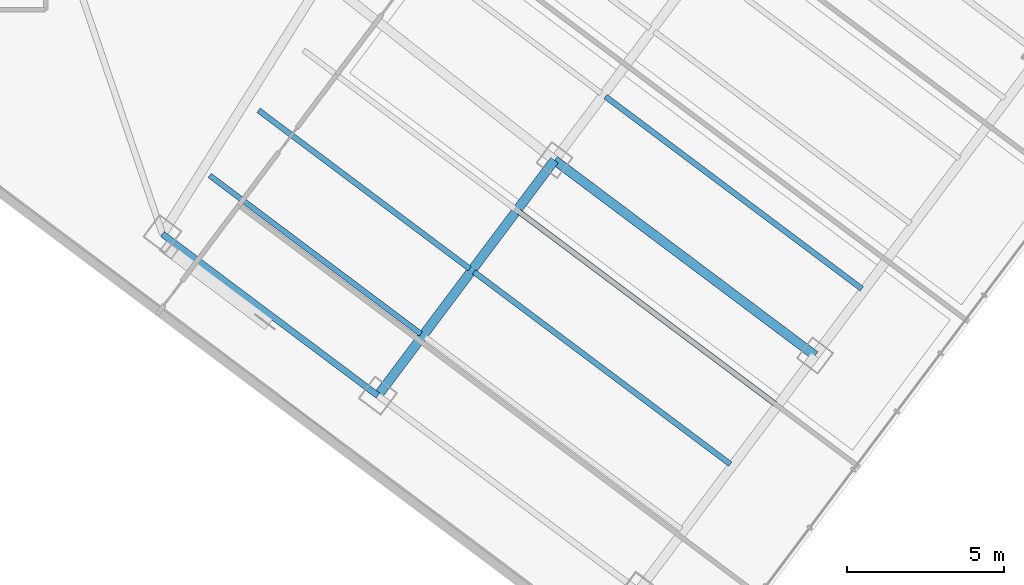
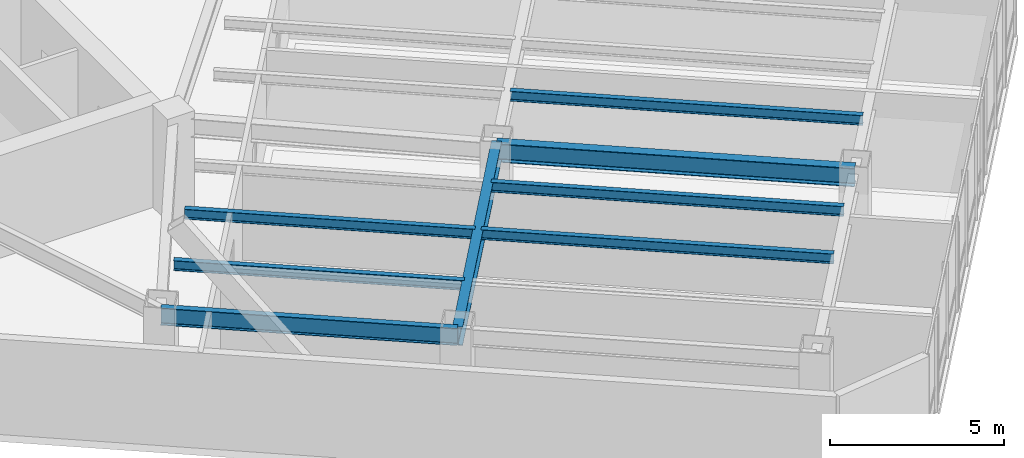
# One storey, part 7 of 31: 8 beams.
"""IFC4 building model written with IfcOpenShell, lengths in metres."""

from ifc_helpers import new_model, si_unit, direction, frame, origin, origin_2d, place, context, subcontext, project, spatial, i_section, extrude, material, material_profile, profile_set, type_object, element, save


model = new_model("IFC4")

# Units and contexts
model_context = context("Model", 3, precision=1e-05, world=origin(), true_north=direction((0.0, 1.0)))
body_context = subcontext(model_context, "Body", "Model", "MODEL_VIEW")
ifc_project = project(units=[si_unit("LENGTHUNIT", "METRE"), si_unit("AREAUNIT", "SQUARE_METRE"), si_unit("VOLUMEUNIT", "CUBIC_METRE"), si_unit("PLANEANGLEUNIT", "RADIAN"), si_unit("MASSUNIT", "GRAM", prefix="KILO")], contexts=[model_context])

# Site, building, storey
site_placement = place(None, origin())
site = spatial("IfcSite", under=ifc_project, at=site_placement, CompositionType="ELEMENT")
building_placement = place(site_placement, origin())
building = spatial("IfcBuilding", under=site, at=building_placement, Name="Hatsunagi Terrace Concourse", CompositionType="ELEMENT")
storey_placement = place(building_placement, frame((0.0, 0.0, 112.050048828125)))
storey = spatial("IfcBuildingStorey", under=building, at=storey_placement, Name="L29", CompositionType="ELEMENT", Elevation=112.050048828125)

# Beams
ifc_material_1 = material(Name="Steel SN490B", Category="steel")
ifc_material_profile_1 = material_profile(ifc_material_1, i_section(OverallWidth=0.175048828125, OverallDepth=0.35009765625, WebThickness=0.007080078125, FlangeThickness=0.010986328125, FilletRadius=0.012939453125, at=origin_2d()), Name="H-350x175x7x11")
ifc_profile_set_1 = profile_set([ifc_material_profile_1], Name="Steel SN490B")
beam_type_1 = type_object("IfcBeamType", Name="HotelJoist_H_350x175", PredefinedType="JOIST", material=ifc_profile_set_1)
for number, where, z_axis, x_axis, name in (
    (1, (40.18798828125, 17.908935546875, 3.175048828125), (0.800003475366, -0.59999536615, 0.0), (0.59999536615, 0.800003475366, 0.0), "Beam J-02 J-L29-SE-2-46"),
    (2, (41.748046875, 19.989013671875, 3.175048828125), (0.799989573921, -0.600013901187, 0.0), (0.600013901187, 0.799989573921, 0.0), "Beam J-02 J-L29-SE-2-72"),
):
    element("IfcBeam", number, at=place(storey_placement, frame(where, z_axis=z_axis, x_axis=x_axis)), inside=storey, type_object=beam_type_1, Name=name, PredefinedType="JOIST", context=body_context, shape_type="SweptSolid", body=[
        extrude(i_section(OverallWidth=0.175048828125, OverallDepth=0.35009765625, WebThickness=0.007080078125, FlangeThickness=0.010986328125, FilletRadius=0.012939453125, at=origin_2d()), origin(), (0.0, 0.0, 1.0), 8.429931640625),
    ])
beam_1_placement = place(storey_placement, frame((48.6279296875, 14.8291015625, 3.175048828125), z_axis=(0.799994272423, -0.600007636694, 0.0), x_axis=(0.600007636694, 0.799994272423, 0.0)))
element("IfcBeam", 3, at=beam_1_placement, inside=storey, type_object=beam_type_1, Name="Beam J-02 J-L29-SE-3-72", PredefinedType="JOIST", context=body_context, shape_type="SweptSolid", body=[
    extrude(i_section(OverallWidth=0.175048828125, OverallDepth=0.35009765625, WebThickness=0.007080078125, FlangeThickness=0.010986328125, FilletRadius=0.012939453125, at=origin_2d()), origin(), (0.0, 0.0, 1.0), 10.230224609375),
])
beam_2_placement = place(storey_placement, frame((50.068115234375, 16.7490234375, 3.175048828125), z_axis=(0.799997136125, -0.600003818481, 0.0), x_axis=(0.600003818481, 0.799997136125, 0.0)))
element("IfcBeam", 4, at=beam_2_placement, inside=storey, type_object=beam_type_1, Name="Beam J-02 J-L29-SE-3-96", PredefinedType="JOIST", context=body_context, shape_type="SweptSolid", body=[
    extrude(i_section(OverallWidth=0.175048828125, OverallDepth=0.35009765625, WebThickness=0.007080078125, FlangeThickness=0.010986328125, FilletRadius=0.012939453125, at=origin_2d()), origin(), (0.0, 0.0, 1.0), 10.229736328125),
])
beam_3_placement = place(storey_placement, frame((52.827880859375, 20.428955078125, 3.175048828125), z_axis=(0.800005727586, -0.599992363142, 0.0), x_axis=(0.599992363142, 0.800005727586, 0.0)))
element("IfcBeam", 5, at=beam_3_placement, inside=storey, type_object=beam_type_1, Name="Beam J-02 J-L29-SE-3-142", PredefinedType="JOIST", context=body_context, shape_type="SweptSolid", body=[
    extrude(i_section(OverallWidth=0.175048828125, OverallDepth=0.35009765625, WebThickness=0.007080078125, FlangeThickness=0.010986328125, FilletRadius=0.012939453125, at=origin_2d()), origin(), (0.0, 0.0, 1.0), 10.22998046875),
])
ifc_material_2 = material(Name="Steel SN490B", Category="steel")
ifc_material_profile_2 = material_profile(ifc_material_2, i_section(OverallWidth=0.300048828125, OverallDepth=0.64990234375, WebThickness=0.012939453125, FlangeThickness=0.02197265625, FilletRadius=0.01806640625, at=origin_2d()), Name="H-650x300x13x22")
ifc_profile_set_2 = profile_set([ifc_material_profile_2], Name="Steel SN490B")
beam_type_2 = type_object("IfcBeamType", Name="OfficeLowGirder_H_650x300", PredefinedType="BEAM", material=ifc_profile_set_2)
beam_4_placement = place(storey_placement, frame((45.56005859375, 10.8798828125, 3.02490234375), z_axis=(0.599991688754, 0.800006233367, 0.0), x_axis=(-0.800006233367, 0.599991688754, 0.0)))
element("IfcBeam", 6, at=beam_4_placement, inside=storey, type_object=beam_type_2, Name="Beam G-05 BM-L29-SET-2A", PredefinedType="BEAM", context=body_context, shape_type="SweptSolid", body=[
    extrude(i_section(OverallWidth=0.300048828125, OverallDepth=0.64990234375, WebThickness=0.012939453125, FlangeThickness=0.02197265625, FilletRadius=0.01806640625, at=origin_2d()), origin(), (0.0, 0.0, 1.0), 9.39990234375),
])
beam_5_placement = place(storey_placement, frame((51.199951171875, 18.39990234375, 3.02490234375), z_axis=(0.800002816985, -0.599996244001, 0.0), x_axis=(0.599996244001, 0.800002816985, 0.0)))
element("IfcBeam", 7, at=beam_5_placement, inside=storey, type_object=beam_type_2, Name="Beam G-05 BM-L29-SE-M3", PredefinedType="BEAM", context=body_context, shape_type="SweptSolid", body=[
    extrude(i_section(OverallWidth=0.300048828125, OverallDepth=0.64990234375, WebThickness=0.012939453125, FlangeThickness=0.02197265625, FilletRadius=0.01806640625, at=origin_2d()), origin(), (0.0, 0.0, 1.0), 10.400146484375),
])
ifc_material_3 = material(Name="Steel SN490B", Category="steel")
ifc_material_profile_3 = material_profile(ifc_material_3, i_section(OverallWidth=0.199951171875, OverallDepth=0.60009765625, WebThickness=0.010986328125, FlangeThickness=0.01708984375, FilletRadius=0.01806640625, at=origin_2d()), Name="H-600x200x11x17")
ifc_profile_set_3 = profile_set([ifc_material_profile_3], Name="Steel SN490B")
beam_type_3 = type_object("IfcBeamType", Name="PerimeterSpandrel_H_600x200", PredefinedType="SPANDREL", material=ifc_profile_set_3)
beam_6_placement = place(storey_placement, frame((38.679931640625, 16.0400390625, 3.050048828125), z_axis=(0.799996593451, -0.600004542038, 0.0), x_axis=(0.600004542038, 0.799996593451, 0.0)))
element("IfcBeam", 8, at=beam_6_placement, inside=storey, type_object=beam_type_3, Name="Beam SP-01 BM-L29-SE-SW2", PredefinedType="SPANDREL", context=body_context, shape_type="SweptSolid", body=[
    extrude(i_section(OverallWidth=0.199951171875, OverallDepth=0.60009765625, WebThickness=0.010986328125, FlangeThickness=0.01708984375, FilletRadius=0.01806640625, at=origin_2d()), origin(), (0.0, 0.0, 1.0), 8.60009765625),
])

save(model, "model.ifc")
